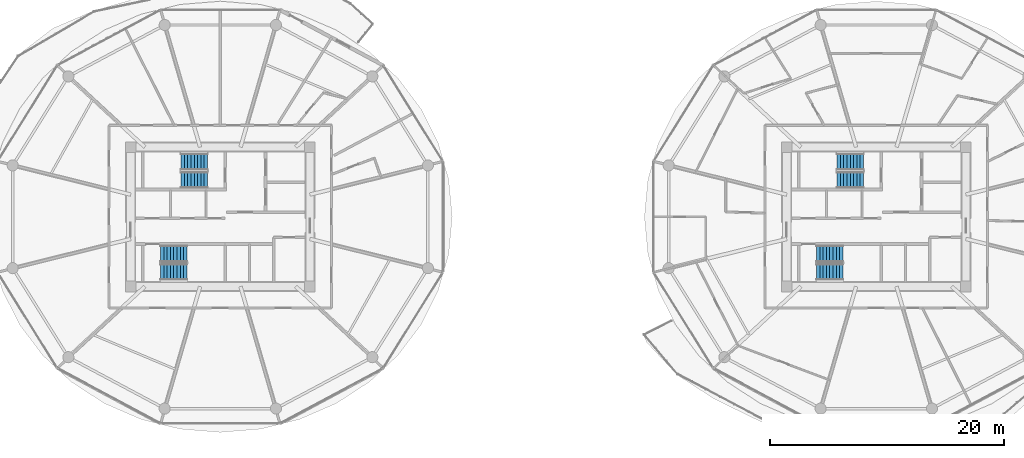
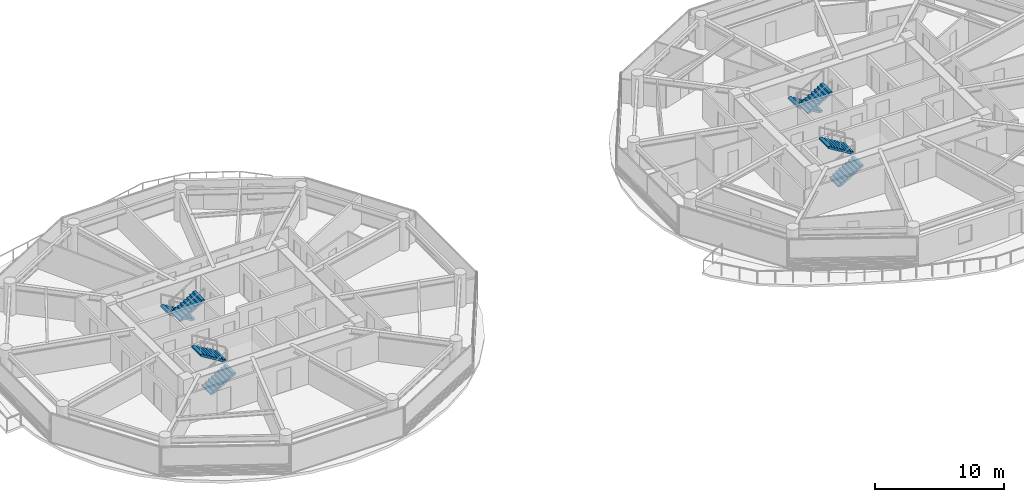
# One storey, part 20 of 25: 8 stair flights, 4 elements without a shape of their own.
"""IFC4 building model written with IfcOpenShell, lengths in metres."""

from ifc_helpers import new_model, si_unit, direction, frame, origin, place, context, subcontext, project, spatial, polyline, outline, extrude, material, type_object, element, aggregate, save


model = new_model("IFC4")

# Units and contexts
model_context = context("Model", 3, precision=1e-05, world=origin(), true_north=direction((0.0, 1.0)))
body_context = subcontext(model_context, "Body", "Model", "MODEL_VIEW")
ifc_project = project(units=[si_unit("LENGTHUNIT", "METRE"), si_unit("AREAUNIT", "SQUARE_METRE"), si_unit("VOLUMEUNIT", "CUBIC_METRE"), si_unit("PLANEANGLEUNIT", "RADIAN"), si_unit("MASSUNIT", "GRAM", prefix="KILO")], contexts=[model_context])

# Site, building, storey
site_placement = place(None, origin())
site = spatial("IfcSite", under=ifc_project, at=site_placement, CompositionType="ELEMENT")
building_placement = place(site_placement, origin())
building = spatial("IfcBuilding", under=site, at=building_placement, Name="Norrkilde Senior Care Towers", CompositionType="ELEMENT")
storey_placement = place(building_placement, frame((0.0, 0.0, 27.699951171875)))
storey = spatial("IfcBuildingStorey", under=building, at=storey_placement, Name="L07", CompositionType="ELEMENT", Elevation=27.699951171875)

# Stair, stair flights
ifc_material = material(Name="Concrete C45/55", Category="concrete")
stair_type = type_object("IfcStairType", Name="Core Protected Dogleg Stair Typical 3050", PredefinedType="HALF_TURN_STAIR", material=ifc_material)
stair_1_placement = place(storey_placement, origin())
stair_1 = element("IfcStair", 1, at=stair_1_placement, inside=storey, type_object=stair_type, Name="L07 Protected Core Stair W1", PredefinedType="HALF_TURN_STAIR")
stair_flight_type = type_object("IfcStairFlightType", Name="Core Protected Dogleg Stair Typical 3050 Flight", PredefinedType="STRAIGHT", material=ifc_material)
stair_flight_1_placement = place(storey_placement, frame((-29.10009765625, 4.699951171875, 0.0), z_axis=(0.0, 0.0, 1.0), x_axis=(-1.0, 0.0, 0.0)))
stair_flight_1 = element("IfcStairFlight", 2, at=stair_flight_1_placement, type_object=stair_flight_type, Name="ST-W1 flight 1", NumberOfRisers=9, NumberOfTreads=8, PredefinedType="STRAIGHT", RiserHeight=0.169444444, TreadLength=0.28, context=body_context, shape_type="SweptSolid", body=[
    extrude(outline(polyline([(0.0, 0.0), (0.0, 0.16943359375), (0.280029296875, 0.16943359375), (0.280029296875, 0.3388671875), (0.56005859375, 0.3388671875), (0.56005859375, 0.50830078125), (0.840087890625, 0.50830078125), (0.840087890625, 0.677734375), (1.1201171875, 0.677734375), (1.1201171875, 0.84716796875), (1.39990234375, 0.84716796875), (1.39990234375, 1.0166015625), (1.679931640625, 1.0166015625), (1.679931640625, 1.18603515625), (1.9599609375, 1.18603515625), (1.9599609375, 1.35546875), (2.239990234375, 1.35546875), (2.239990234375, 1.52490234375), (2.239990234375, 1.180419921875), (0.28955078125, 0.0), (0.0, 0.0)])), frame((0.0, 0.699951171875, 0.0), z_axis=(0.0, -1.0, 0.0), x_axis=(1.0, 0.0, 0.0)), (0.0, 0.0, 1.0), 1.39990234375),
])
stair_flight_2_placement = place(storey_placement, frame((-31.340087890625, 3.14990234375, 1.525146484375), z_axis=(0.0, 0.0, 1.0), x_axis=(1.0, 0.0, 0.0)))
stair_flight_2 = element("IfcStairFlight", 3, at=stair_flight_2_placement, type_object=stair_flight_type, Name="ST-W1 flight 2", NumberOfRisers=9, NumberOfTreads=8, PredefinedType="STRAIGHT", RiserHeight=0.169444444, TreadLength=0.28, context=body_context, shape_type="SweptSolid", body=[
    extrude(outline(polyline([(0.0, 0.0), (0.0, 0.16943359375), (0.280029296875, 0.16943359375), (0.280029296875, 0.3388671875), (0.56005859375, 0.3388671875), (0.56005859375, 0.50830078125), (0.840087890625, 0.50830078125), (0.840087890625, 0.677734375), (1.1201171875, 0.677734375), (1.1201171875, 0.84716796875), (1.39990234375, 0.84716796875), (1.39990234375, 1.0166015625), (1.679931640625, 1.0166015625), (1.679931640625, 1.18603515625), (1.9599609375, 1.18603515625), (1.9599609375, 1.35546875), (2.239990234375, 1.35546875), (2.239990234375, 1.52490234375), (2.239990234375, 1.180419921875), (0.28955078125, 0.0), (0.0, 0.0)])), frame((0.0, 0.699951171875, 0.0), z_axis=(0.0, -1.0, 0.0), x_axis=(1.0, 0.0, 0.0)), (0.0, 0.0, 1.0), 1.39990234375),
])
aggregate(stair_1, [stair_flight_1, stair_flight_2])

stair_2_placement = place(storey_placement, origin())
stair_2 = element("IfcStair", 4, at=stair_2_placement, inside=storey, type_object=stair_type, Name="L07 Protected Core Stair W2", PredefinedType="HALF_TURN_STAIR")
stair_flight_3_placement = place(storey_placement, frame((-33.10009765625, -4.699951171875, 0.0), z_axis=(0.0, 0.0, 1.0), x_axis=(1.0, 0.0, 0.0)))
stair_flight_3 = element("IfcStairFlight", 5, at=stair_flight_3_placement, type_object=stair_flight_type, Name="ST-W2 flight 1", NumberOfRisers=9, NumberOfTreads=8, PredefinedType="STRAIGHT", RiserHeight=0.169444444, TreadLength=0.28, context=body_context, shape_type="SweptSolid", body=[
    extrude(outline(polyline([(0.0, 0.0), (0.0, 0.16943359375), (0.280029296875, 0.16943359375), (0.280029296875, 0.3388671875), (0.56005859375, 0.3388671875), (0.56005859375, 0.50830078125), (0.840087890625, 0.50830078125), (0.840087890625, 0.677734375), (1.1201171875, 0.677734375), (1.1201171875, 0.84716796875), (1.39990234375, 0.84716796875), (1.39990234375, 1.0166015625), (1.679931640625, 1.0166015625), (1.679931640625, 1.18603515625), (1.9599609375, 1.18603515625), (1.9599609375, 1.35546875), (2.239990234375, 1.35546875), (2.239990234375, 1.52490234375), (2.239990234375, 1.180419921875), (0.28955078125, 0.0), (0.0, 0.0)])), frame((0.0, 0.699951171875, 0.0), z_axis=(0.0, -1.0, 0.0), x_axis=(1.0, 0.0, 0.0)), (0.0, 0.0, 1.0), 1.39990234375),
])
stair_flight_4_placement = place(storey_placement, frame((-30.860107421875, -3.14990234375, 1.525146484375), z_axis=(0.0, 0.0, 1.0), x_axis=(-1.0, 0.0, 0.0)))
stair_flight_4 = element("IfcStairFlight", 6, at=stair_flight_4_placement, type_object=stair_flight_type, Name="ST-W2 flight 2", NumberOfRisers=9, NumberOfTreads=8, PredefinedType="STRAIGHT", RiserHeight=0.169444444, TreadLength=0.28, context=body_context, shape_type="SweptSolid", body=[
    extrude(outline(polyline([(0.0, 0.0), (0.0, 0.16943359375), (0.280029296875, 0.16943359375), (0.280029296875, 0.3388671875), (0.56005859375, 0.3388671875), (0.56005859375, 0.50830078125), (0.840087890625, 0.50830078125), (0.840087890625, 0.677734375), (1.1201171875, 0.677734375), (1.1201171875, 0.84716796875), (1.39990234375, 0.84716796875), (1.39990234375, 1.0166015625), (1.679931640625, 1.0166015625), (1.679931640625, 1.18603515625), (1.9599609375, 1.18603515625), (1.9599609375, 1.35546875), (2.239990234375, 1.35546875), (2.239990234375, 1.52490234375), (2.239990234375, 1.180419921875), (0.28955078125, 0.0), (0.0, 0.0)])), frame((0.0, 0.699951171875, 0.0), z_axis=(0.0, -1.0, 0.0), x_axis=(1.0, 0.0, 0.0)), (0.0, 0.0, 1.0), 1.39990234375),
])
aggregate(stair_2, [stair_flight_3, stair_flight_4])

stair_3_placement = place(storey_placement, origin())
stair_3 = element("IfcStair", 7, at=stair_3_placement, inside=storey, type_object=stair_type, Name="L07 Protected Core Stair E1", PredefinedType="HALF_TURN_STAIR")
stair_flight_5_placement = place(storey_placement, frame((26.89990234375, 4.699951171875, 0.0), z_axis=(0.0, 0.0, 1.0), x_axis=(-1.0, 0.0, 0.0)))
stair_flight_5 = element("IfcStairFlight", 8, at=stair_flight_5_placement, type_object=stair_flight_type, Name="ST-E1 flight 1", NumberOfRisers=9, NumberOfTreads=8, PredefinedType="STRAIGHT", RiserHeight=0.169444444, TreadLength=0.28, context=body_context, shape_type="SweptSolid", body=[
    extrude(outline(polyline([(0.0, 0.0), (0.0, 0.16943359375), (0.280029296875, 0.16943359375), (0.280029296875, 0.3388671875), (0.56005859375, 0.3388671875), (0.56005859375, 0.50830078125), (0.840087890625, 0.50830078125), (0.840087890625, 0.677734375), (1.1201171875, 0.677734375), (1.1201171875, 0.84716796875), (1.39990234375, 0.84716796875), (1.39990234375, 1.0166015625), (1.679931640625, 1.0166015625), (1.679931640625, 1.18603515625), (1.9599609375, 1.18603515625), (1.9599609375, 1.35546875), (2.239990234375, 1.35546875), (2.239990234375, 1.52490234375), (2.239990234375, 1.180419921875), (0.28955078125, 0.0), (0.0, 0.0)])), frame((0.0, 0.699951171875, 0.0), z_axis=(0.0, -1.0, 0.0), x_axis=(1.0, 0.0, 0.0)), (0.0, 0.0, 1.0), 1.39990234375),
])
stair_flight_6_placement = place(storey_placement, frame((24.659912109375, 3.14990234375, 1.525146484375), z_axis=(0.0, 0.0, 1.0), x_axis=(1.0, 0.0, 0.0)))
stair_flight_6 = element("IfcStairFlight", 9, at=stair_flight_6_placement, type_object=stair_flight_type, Name="ST-E1 flight 2", NumberOfRisers=9, NumberOfTreads=8, PredefinedType="STRAIGHT", RiserHeight=0.169444444, TreadLength=0.28, context=body_context, shape_type="SweptSolid", body=[
    extrude(outline(polyline([(0.0, 0.0), (0.0, 0.16943359375), (0.280029296875, 0.16943359375), (0.280029296875, 0.3388671875), (0.56005859375, 0.3388671875), (0.56005859375, 0.50830078125), (0.840087890625, 0.50830078125), (0.840087890625, 0.677734375), (1.1201171875, 0.677734375), (1.1201171875, 0.84716796875), (1.39990234375, 0.84716796875), (1.39990234375, 1.0166015625), (1.679931640625, 1.0166015625), (1.679931640625, 1.18603515625), (1.9599609375, 1.18603515625), (1.9599609375, 1.35546875), (2.239990234375, 1.35546875), (2.239990234375, 1.52490234375), (2.239990234375, 1.180419921875), (0.28955078125, 0.0), (0.0, 0.0)])), frame((0.0, 0.699951171875, 0.0), z_axis=(0.0, -1.0, 0.0), x_axis=(1.0, 0.0, 0.0)), (0.0, 0.0, 1.0), 1.39990234375),
])
aggregate(stair_3, [stair_flight_5, stair_flight_6])

stair_4_placement = place(storey_placement, origin())
stair_4 = element("IfcStair", 10, at=stair_4_placement, inside=storey, type_object=stair_type, Name="L07 Protected Core Stair E2", PredefinedType="HALF_TURN_STAIR")
stair_flight_7_placement = place(storey_placement, frame((22.89990234375, -4.699951171875, 0.0), z_axis=(0.0, 0.0, 1.0), x_axis=(1.0, 0.0, 0.0)))
stair_flight_7 = element("IfcStairFlight", 11, at=stair_flight_7_placement, type_object=stair_flight_type, Name="ST-E2 flight 1", NumberOfRisers=9, NumberOfTreads=8, PredefinedType="STRAIGHT", RiserHeight=0.169444444, TreadLength=0.28, context=body_context, shape_type="SweptSolid", body=[
    extrude(outline(polyline([(0.0, 0.0), (0.0, 0.16943359375), (0.280029296875, 0.16943359375), (0.280029296875, 0.3388671875), (0.56005859375, 0.3388671875), (0.56005859375, 0.50830078125), (0.840087890625, 0.50830078125), (0.840087890625, 0.677734375), (1.1201171875, 0.677734375), (1.1201171875, 0.84716796875), (1.39990234375, 0.84716796875), (1.39990234375, 1.0166015625), (1.679931640625, 1.0166015625), (1.679931640625, 1.18603515625), (1.9599609375, 1.18603515625), (1.9599609375, 1.35546875), (2.239990234375, 1.35546875), (2.239990234375, 1.52490234375), (2.239990234375, 1.180419921875), (0.28955078125, 0.0), (0.0, 0.0)])), frame((0.0, 0.699951171875, 0.0), z_axis=(0.0, -1.0, 0.0), x_axis=(1.0, 0.0, 0.0)), (0.0, 0.0, 1.0), 1.39990234375),
])
stair_flight_8_placement = place(storey_placement, frame((25.139892578125, -3.14990234375, 1.525146484375), z_axis=(0.0, 0.0, 1.0), x_axis=(-1.0, 0.0, 0.0)))
stair_flight_8 = element("IfcStairFlight", 12, at=stair_flight_8_placement, type_object=stair_flight_type, Name="ST-E2 flight 2", NumberOfRisers=9, NumberOfTreads=8, PredefinedType="STRAIGHT", RiserHeight=0.169444444, TreadLength=0.28, context=body_context, shape_type="SweptSolid", body=[
    extrude(outline(polyline([(0.0, 0.0), (0.0, 0.16943359375), (0.280029296875, 0.16943359375), (0.280029296875, 0.3388671875), (0.56005859375, 0.3388671875), (0.56005859375, 0.50830078125), (0.840087890625, 0.50830078125), (0.840087890625, 0.677734375), (1.1201171875, 0.677734375), (1.1201171875, 0.84716796875), (1.39990234375, 0.84716796875), (1.39990234375, 1.0166015625), (1.679931640625, 1.0166015625), (1.679931640625, 1.18603515625), (1.9599609375, 1.18603515625), (1.9599609375, 1.35546875), (2.239990234375, 1.35546875), (2.239990234375, 1.52490234375), (2.239990234375, 1.180419921875), (0.28955078125, 0.0), (0.0, 0.0)])), frame((0.0, 0.699951171875, 0.0), z_axis=(0.0, -1.0, 0.0), x_axis=(1.0, 0.0, 0.0)), (0.0, 0.0, 1.0), 1.39990234375),
])
aggregate(stair_4, [stair_flight_7, stair_flight_8])

save(model, "model.ifc")
